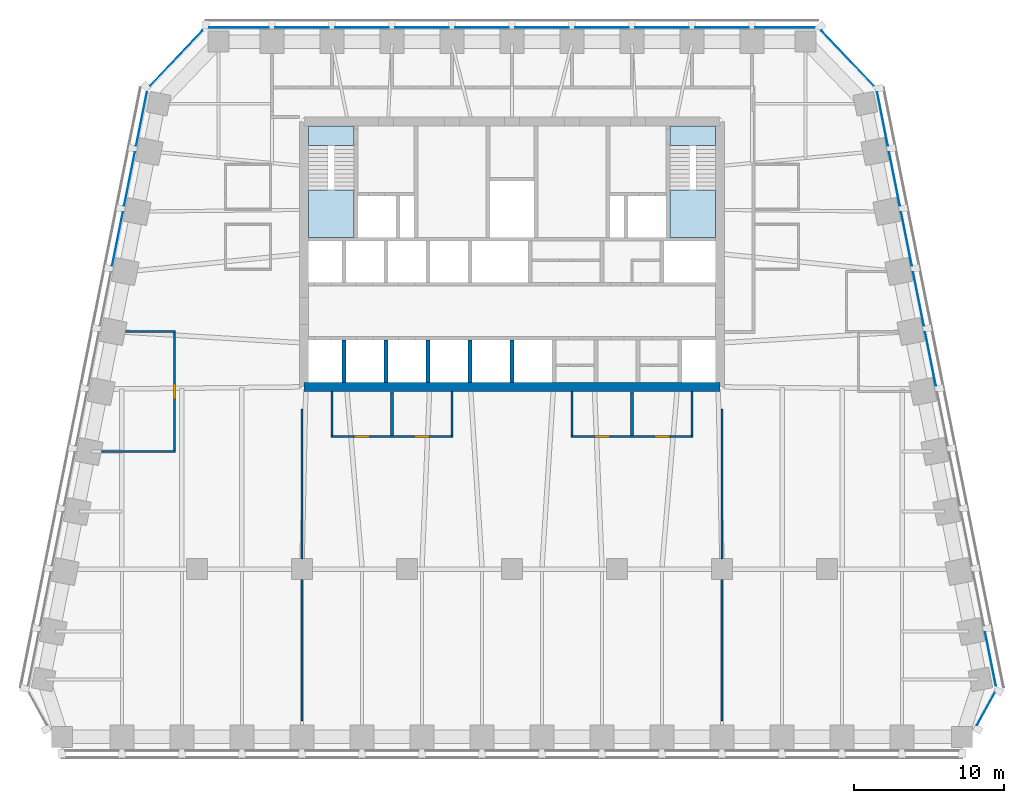
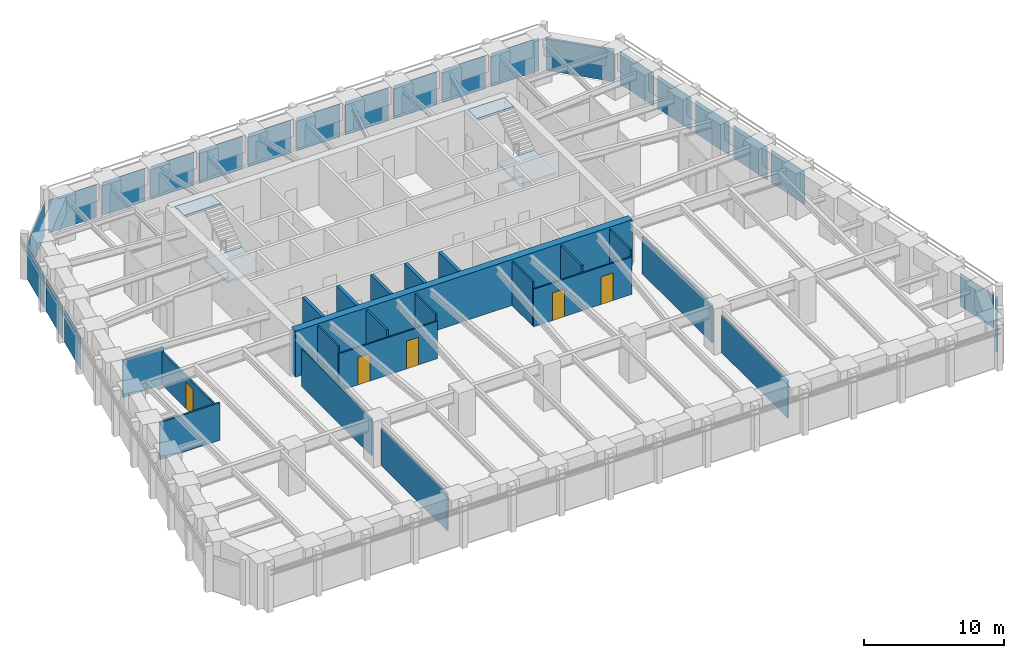
# One storey, part 5 of 10: 22 plates, 21 walls, 5 doors, 4 slabs, 5 openings, 8 elements without a shape of their own.
"""IFC4 building model written with IfcOpenShell, lengths in metres."""

from ifc_helpers import new_model, si_unit, direction, frame, frame_2d, origin, origin_2d, place, context, subcontext, project, spatial, polyline, rectangle, outline, extrude, material, layer, layer_set, type_object, element, fill, aggregate, save


model = new_model("IFC4")

# Units and contexts
model_context = context("Model", 3, precision=1e-05, world=origin(), true_north=direction((0.0, 1.0)))
body_context = subcontext(model_context, "Body", "Model", "MODEL_VIEW")
ifc_project = project(units=[si_unit("LENGTHUNIT", "METRE"), si_unit("AREAUNIT", "SQUARE_METRE"), si_unit("VOLUMEUNIT", "CUBIC_METRE"), si_unit("PLANEANGLEUNIT", "RADIAN"), si_unit("MASSUNIT", "GRAM", prefix="KILO")], contexts=[model_context])

# Site, building, storey
site_placement = place(None, origin())
site = spatial("IfcSite", under=ifc_project, at=site_placement, CompositionType="ELEMENT")
building_placement = place(site_placement, origin())
building = spatial("IfcBuilding", under=site, at=building_placement, Name="Isbrekke Arena Tower", CompositionType="ELEMENT")
storey_placement = place(building_placement, frame((0.0, 0.0, 218.0)))
storey = spatial("IfcBuildingStorey", under=building, at=storey_placement, Name="L50", CompositionType="ELEMENT", Elevation=218.0)

# Curtain wall, plate
ifc_material_1 = material(Name="Glazed aluminium curtain wall", Category="aluminium")
curtain_wall_type = type_object("IfcCurtainWallType", Name="CWH TOWER CURTAIN WALL HIGH ZONE", PredefinedType="USERDEFINED", material=ifc_material_1)
curtain_wall_1_placement = place(storey_placement, origin())
curtain_wall_1 = element("IfcCurtainWall", 1, at=curtain_wall_1_placement, inside=storey, type_object=curtain_wall_type, Name="CWH curtain wall L50-SE", ObjectType="TOWER CURTAIN WALL HIGH ZONE", PredefinedType="USERDEFINED")
ifc_material_2 = material(Name="Triple-glazed clear glass unit", Category="glass")
ifc_layer_1 = layer(ifc_material_2, 0.031982421875)
ifc_layer_set_1 = layer_set([ifc_layer_1], Name="CWH-P VISION PANEL")
plate_type = type_object("IfcPlateType", Name="CWH-P VISION PANEL", PredefinedType="CURTAIN_PANEL", material=ifc_layer_set_1)
plate_1_placement = place(storey_placement, frame((31.5908203125, -15.3154296875, 0.02001953125), z_axis=(0.0, 0.0, 1.0), x_axis=(0.481918749773, 0.876215908676, 0.0)))
plate_1 = element("IfcPlate", 2, at=plate_1_placement, type_object=plate_type, Name="CWH-P panel 1", PredefinedType="CURTAIN_PANEL", context=body_context, shape_type="SweptSolid", body=[
    extrude(rectangle(XDim=2.4423828125, YDim=0.031982421875, at=origin_2d()), origin(), (0.0, 0.0, 1.0), 2.8798828125),
])
aggregate(curtain_wall_1, [plate_1])

# Curtain wall, plates
curtain_wall_2_placement = place(storey_placement, origin())
curtain_wall_2 = element("IfcCurtainWall", 3, at=curtain_wall_2_placement, inside=storey, type_object=curtain_wall_type, Name="CWH curtain wall L50-E", ObjectType="TOWER CURTAIN WALL HIGH ZONE", PredefinedType="USERDEFINED")
plate_2_placement = place(storey_placement, frame((31.89794921875, -11.98046875, 0.02001953125), z_axis=(0.0, 0.0, 1.0), x_axis=(-0.196116135138, 0.980580675691, 0.0)))
plate_2 = element("IfcPlate", 4, at=plate_2_placement, type_object=plate_type, Name="CWH-P panel 1", PredefinedType="CURTAIN_PANEL", context=body_context, shape_type="SweptSolid", body=[
    extrude(rectangle(XDim=3.629150390625, YDim=0.031982421875, at=origin_2d()), origin(), (0.0, 0.0, 1.0), 2.8798828125),
])
plate_3_placement = place(storey_placement, frame((27.89794921875, 8.01953125, 0.02001953125), z_axis=(0.0, 0.0, 1.0), x_axis=(-0.196116135138, 0.980580675691, 0.0)))
plate_3 = element("IfcPlate", 5, at=plate_3_placement, type_object=plate_type, Name="CWH-P panel 6", PredefinedType="CURTAIN_PANEL", context=body_context, shape_type="SweptSolid", body=[
    extrude(rectangle(XDim=3.629150390625, YDim=0.031982421875, at=origin_2d()), origin(), (0.0, 0.0, 1.0), 2.8798828125),
])
plate_4_placement = place(storey_placement, frame((27.09814453125, 12.01953125, 0.02001953125), z_axis=(0.0, 0.0, 1.0), x_axis=(-0.196116135138, 0.980580675691, 0.0)))
plate_4 = element("IfcPlate", 6, at=plate_4_placement, type_object=plate_type, Name="CWH-P panel 7", PredefinedType="CURTAIN_PANEL", context=body_context, shape_type="SweptSolid", body=[
    extrude(rectangle(XDim=3.629150390625, YDim=0.031982421875, at=origin_2d()), origin(), (0.0, 0.0, 1.0), 2.8798828125),
])
plate_5_placement = place(storey_placement, frame((26.298095703125, 16.01953125, 0.02001953125), z_axis=(0.0, 0.0, 1.0), x_axis=(-0.196116135138, 0.980580675691, 0.0)))
plate_5 = element("IfcPlate", 7, at=plate_5_placement, type_object=plate_type, Name="CWH-P panel 8", PredefinedType="CURTAIN_PANEL", context=body_context, shape_type="SweptSolid", body=[
    extrude(rectangle(XDim=3.629150390625, YDim=0.031982421875, at=origin_2d()), origin(), (0.0, 0.0, 1.0), 2.8798828125),
])
plate_6_placement = place(storey_placement, frame((25.498046875, 20.01953125, 0.02001953125), z_axis=(0.0, 0.0, 1.0), x_axis=(-0.196116135138, 0.980580675691, 0.0)))
plate_6 = element("IfcPlate", 8, at=plate_6_placement, type_object=plate_type, Name="CWH-P panel 9", PredefinedType="CURTAIN_PANEL", context=body_context, shape_type="SweptSolid", body=[
    extrude(rectangle(XDim=3.629150390625, YDim=0.031982421875, at=origin_2d()), origin(), (0.0, 0.0, 1.0), 2.8798828125),
])
plate_7_placement = place(storey_placement, frame((24.697998046875, 24.01953125, 0.02001953125), z_axis=(0.0, 0.0, 1.0), x_axis=(-0.196116135138, 0.980580675691, 0.0)))
plate_7 = element("IfcPlate", 9, at=plate_7_placement, type_object=plate_type, Name="CWH-P panel 10", PredefinedType="CURTAIN_PANEL", context=body_context, shape_type="SweptSolid", body=[
    extrude(rectangle(XDim=3.629150390625, YDim=0.031982421875, at=origin_2d()), origin(), (0.0, 0.0, 1.0), 2.8798828125),
])
aggregate(curtain_wall_2, [plate_2, plate_3, plate_4, plate_5, plate_6, plate_7])

# Curtain wall, plate
curtain_wall_3_placement = place(storey_placement, origin())
curtain_wall_3 = element("IfcCurtainWall", 10, at=curtain_wall_3_placement, inside=storey, type_object=curtain_wall_type, Name="CWH curtain wall L50-EN", ObjectType="TOWER CURTAIN WALL HIGH ZONE", PredefinedType="USERDEFINED")
plate_8_placement = place(storey_placement, frame((22.37255859375, 28.06884765625, 0.02001953125), z_axis=(0.0, 0.0, 1.0), x_axis=(-0.68874946192, 0.72499943359, 0.0)))
plate_8 = element("IfcPlate", 11, at=plate_8_placement, type_object=plate_type, Name="CWH-P panel 1", PredefinedType="CURTAIN_PANEL", context=body_context, shape_type="SweptSolid", body=[
    extrude(rectangle(XDim=5.067138671875, YDim=0.031982421875, at=origin_2d()), origin(), (0.0, 0.0, 1.0), 2.8798828125),
])
aggregate(curtain_wall_3, [plate_8])

# Curtain wall, plates
curtain_wall_4_placement = place(storey_placement, origin())
curtain_wall_4 = element("IfcCurtainWall", 12, at=curtain_wall_4_placement, inside=storey, type_object=curtain_wall_type, Name="CWH curtain wall L50-N", ObjectType="TOWER CURTAIN WALL HIGH ZONE", PredefinedType="USERDEFINED")
plate_9_placement = place(storey_placement, frame((18.199951171875, 30.10009765625, 0.02001953125), z_axis=(0.0, 0.0, 1.0), x_axis=(-1.0, 0.0, 0.0)))
plate_9 = element("IfcPlate", 13, at=plate_9_placement, type_object=plate_type, Name="CWH-P panel 1", PredefinedType="CURTAIN_PANEL", context=body_context, shape_type="SweptSolid", body=[
    extrude(rectangle(XDim=3.949951171875, YDim=0.031982421875, at=origin_2d()), origin(), (0.0, 0.0, 1.0), 2.8798828125),
])
plate_10_placement = place(storey_placement, frame((14.0, 30.10009765625, 0.02001953125), z_axis=(0.0, 0.0, 1.0), x_axis=(-1.0, 0.0, 0.0)))
plate_10 = element("IfcPlate", 14, at=plate_10_placement, type_object=plate_type, Name="CWH-P panel 2", PredefinedType="CURTAIN_PANEL", context=body_context, shape_type="SweptSolid", body=[
    extrude(rectangle(XDim=3.550048828125, YDim=0.031982421875, at=origin_2d()), origin(), (0.0, 0.0, 1.0), 2.8798828125),
])
plate_11_placement = place(storey_placement, frame((10.0, 30.10009765625, 0.02001953125), z_axis=(0.0, 0.0, 1.0), x_axis=(-1.0, 0.0, 0.0)))
plate_11 = element("IfcPlate", 15, at=plate_11_placement, type_object=plate_type, Name="CWH-P panel 3", PredefinedType="CURTAIN_PANEL", context=body_context, shape_type="SweptSolid", body=[
    extrude(rectangle(XDim=3.550048828125, YDim=0.031982421875, at=origin_2d()), origin(), (0.0, 0.0, 1.0), 2.8798828125),
])
plate_12_placement = place(storey_placement, frame((6.0, 30.10009765625, 0.02001953125), z_axis=(0.0, 0.0, 1.0), x_axis=(-1.0, 0.0, 0.0)))
plate_12 = element("IfcPlate", 16, at=plate_12_placement, type_object=plate_type, Name="CWH-P panel 4", PredefinedType="CURTAIN_PANEL", context=body_context, shape_type="SweptSolid", body=[
    extrude(rectangle(XDim=3.550048828125, YDim=0.031982421875, at=origin_2d()), origin(), (0.0, 0.0, 1.0), 2.8798828125),
])
plate_13_placement = place(storey_placement, frame((2.0, 30.10009765625, 0.02001953125), z_axis=(0.0, 0.0, 1.0), x_axis=(-1.0, 0.0, 0.0)))
plate_13 = element("IfcPlate", 17, at=plate_13_placement, type_object=plate_type, Name="CWH-P panel 5", PredefinedType="CURTAIN_PANEL", context=body_context, shape_type="SweptSolid", body=[
    extrude(rectangle(XDim=3.550048828125, YDim=0.031982421875, at=origin_2d()), origin(), (0.0, 0.0, 1.0), 2.8798828125),
])
plate_14_placement = place(storey_placement, frame((-2.0, 30.10009765625, 0.02001953125), z_axis=(0.0, 0.0, 1.0), x_axis=(-1.0, 0.0, 0.0)))
plate_14 = element("IfcPlate", 18, at=plate_14_placement, type_object=plate_type, Name="CWH-P panel 6", PredefinedType="CURTAIN_PANEL", context=body_context, shape_type="SweptSolid", body=[
    extrude(rectangle(XDim=3.550048828125, YDim=0.031982421875, at=origin_2d()), origin(), (0.0, 0.0, 1.0), 2.8798828125),
])
plate_15_placement = place(storey_placement, frame((-6.0, 30.10009765625, 0.02001953125), z_axis=(0.0, 0.0, 1.0), x_axis=(-1.0, 0.0, 0.0)))
plate_15 = element("IfcPlate", 19, at=plate_15_placement, type_object=plate_type, Name="CWH-P panel 7", PredefinedType="CURTAIN_PANEL", context=body_context, shape_type="SweptSolid", body=[
    extrude(rectangle(XDim=3.550048828125, YDim=0.031982421875, at=origin_2d()), origin(), (0.0, 0.0, 1.0), 2.8798828125),
])
plate_16_placement = place(storey_placement, frame((-10.0, 30.10009765625, 0.02001953125), z_axis=(0.0, 0.0, 1.0), x_axis=(-1.0, 0.0, 0.0)))
plate_16 = element("IfcPlate", 20, at=plate_16_placement, type_object=plate_type, Name="CWH-P panel 8", PredefinedType="CURTAIN_PANEL", context=body_context, shape_type="SweptSolid", body=[
    extrude(rectangle(XDim=3.550048828125, YDim=0.031982421875, at=origin_2d()), origin(), (0.0, 0.0, 1.0), 2.8798828125),
])
plate_17_placement = place(storey_placement, frame((-14.0, 30.10009765625, 0.02001953125), z_axis=(0.0, 0.0, 1.0), x_axis=(-1.0, 0.0, 0.0)))
plate_17 = element("IfcPlate", 21, at=plate_17_placement, type_object=plate_type, Name="CWH-P panel 9", PredefinedType="CURTAIN_PANEL", context=body_context, shape_type="SweptSolid", body=[
    extrude(rectangle(XDim=3.550048828125, YDim=0.031982421875, at=origin_2d()), origin(), (0.0, 0.0, 1.0), 2.8798828125),
])
plate_18_placement = place(storey_placement, frame((-18.199951171875, 30.10009765625, 0.02001953125), z_axis=(0.0, 0.0, 1.0), x_axis=(-1.0, 0.0, 0.0)))
plate_18 = element("IfcPlate", 22, at=plate_18_placement, type_object=plate_type, Name="CWH-P panel 10", PredefinedType="CURTAIN_PANEL", context=body_context, shape_type="SweptSolid", body=[
    extrude(rectangle(XDim=3.949951171875, YDim=0.031982421875, at=origin_2d()), origin(), (0.0, 0.0, 1.0), 2.8798828125),
])
aggregate(curtain_wall_4, [plate_9, plate_10, plate_11, plate_12, plate_13, plate_14, plate_15, plate_16, plate_17, plate_18])

# Curtain wall, plate
curtain_wall_5_placement = place(storey_placement, origin())
curtain_wall_5 = element("IfcCurtainWall", 23, at=curtain_wall_5_placement, inside=storey, type_object=curtain_wall_type, Name="CWH curtain wall L50-NW", ObjectType="TOWER CURTAIN WALL HIGH ZONE", PredefinedType="USERDEFINED")
plate_19_placement = place(storey_placement, frame((-22.37255859375, 28.06884765625, 0.02001953125), z_axis=(0.0, 0.0, 1.0), x_axis=(-0.68874946192, -0.72499943359, 0.0)))
plate_19 = element("IfcPlate", 24, at=plate_19_placement, type_object=plate_type, Name="CWH-P panel 1", PredefinedType="CURTAIN_PANEL", context=body_context, shape_type="SweptSolid", body=[
    extrude(rectangle(XDim=5.067138671875, YDim=0.031982421875, at=origin_2d()), origin(), (0.0, 0.0, 1.0), 2.8798828125),
])
aggregate(curtain_wall_5, [plate_19])

# Curtain wall, plates
curtain_wall_6_placement = place(storey_placement, origin())
curtain_wall_6 = element("IfcCurtainWall", 25, at=curtain_wall_6_placement, inside=storey, type_object=curtain_wall_type, Name="CWH curtain wall L50-W", ObjectType="TOWER CURTAIN WALL HIGH ZONE", PredefinedType="USERDEFINED")
plate_20_placement = place(storey_placement, frame((-24.697998046875, 24.01953125, 0.02001953125), z_axis=(0.0, 0.0, 1.0), x_axis=(-0.196116135138, -0.980580675691, 0.0)))
plate_20 = element("IfcPlate", 26, at=plate_20_placement, type_object=plate_type, Name="CWH-P panel 1", PredefinedType="CURTAIN_PANEL", context=body_context, shape_type="SweptSolid", body=[
    extrude(rectangle(XDim=3.629150390625, YDim=0.031982421875, at=origin_2d()), origin(), (0.0, 0.0, 1.0), 2.8798828125),
])
plate_21_placement = place(storey_placement, frame((-25.498046875, 20.01953125, 0.02001953125), z_axis=(0.0, 0.0, 1.0), x_axis=(-0.196116135138, -0.980580675691, 0.0)))
plate_21 = element("IfcPlate", 27, at=plate_21_placement, type_object=plate_type, Name="CWH-P panel 2", PredefinedType="CURTAIN_PANEL", context=body_context, shape_type="SweptSolid", body=[
    extrude(rectangle(XDim=3.629150390625, YDim=0.031982421875, at=origin_2d()), origin(), (0.0, 0.0, 1.0), 2.8798828125),
])
plate_22_placement = place(storey_placement, frame((-26.298095703125, 16.01953125, 0.02001953125), z_axis=(0.0, 0.0, 1.0), x_axis=(-0.196116135138, -0.980580675691, 0.0)))
plate_22 = element("IfcPlate", 28, at=plate_22_placement, type_object=plate_type, Name="CWH-P panel 3", PredefinedType="CURTAIN_PANEL", context=body_context, shape_type="SweptSolid", body=[
    extrude(rectangle(XDim=3.629150390625, YDim=0.031982421875, at=origin_2d()), origin(), (0.0, 0.0, 1.0), 2.8798828125),
])
aggregate(curtain_wall_6, [plate_20, plate_21, plate_22])

# Stair, slabs
ifc_material_3 = material(Name="Concrete B45 (C45/55) precast", Category="concrete")
stair_type = type_object("IfcStairType", Name="ST40 STAIR 1300 WIDE, 24 RISERS 167", PredefinedType="HALF_TURN_STAIR", material=ifc_material_3)
stair_1_placement = place(storey_placement, origin())
stair_1 = element("IfcStair", 29, at=stair_1_placement, inside=storey, type_object=stair_type, Name="ST1 stair L50", PredefinedType="HALF_TURN_STAIR")
ifc_material_4 = material(Name="Concrete B35 (C35/45)", Category="concrete")
ifc_layer_2 = layer(ifc_material_4, 0.199951171875)
ifc_layer_set_2 = layer_set([ifc_layer_2], Name="SL1 STAIR LANDING 200")
slab_type = type_object("IfcSlabType", Name="SL1 STAIR LANDING 200", PredefinedType="LANDING", material=ifc_layer_set_2)
slab_1_placement = place(storey_placement, frame((0.0, 0.0, 1.800048828125)))
slab_1 = element("IfcSlab", 30, at=slab_1_placement, type_object=slab_type, Name="ST1 landing 1", PredefinedType="LANDING", context=body_context, shape_type="SweptSolid", body=[
    extrude(outline(polyline([(-13.550048828125, 16.125), (-10.52490234375, 16.125), (-10.52490234375, 19.280029296875), (-13.550048828125, 19.280029296875), (-13.550048828125, 16.125)])), origin(), (0.0, 0.0, 1.0), 0.199951171875),
])
slab_2_placement = place(storey_placement, frame((0.0, 0.0, 3.800048828125)))
slab_2 = element("IfcSlab", 31, at=slab_2_placement, type_object=slab_type, Name="ST1 landing 2", PredefinedType="LANDING", context=body_context, shape_type="SweptSolid", body=[
    extrude(outline(polyline([(-13.550048828125, 22.25), (-10.52490234375, 22.25), (-10.52490234375, 23.550048828125), (-13.550048828125, 23.550048828125), (-13.550048828125, 22.25)])), origin(), (0.0, 0.0, 1.0), 0.199951171875),
])
aggregate(stair_1, [slab_1, slab_2])

stair_2_placement = place(storey_placement, origin())
stair_2 = element("IfcStair", 32, at=stair_2_placement, inside=storey, type_object=stair_type, Name="ST2 stair L50", PredefinedType="HALF_TURN_STAIR")
slab_3_placement = place(storey_placement, frame((0.0, 0.0, 1.800048828125)))
slab_3 = element("IfcSlab", 33, at=slab_3_placement, type_object=slab_type, Name="ST2 landing 1", PredefinedType="LANDING", context=body_context, shape_type="SweptSolid", body=[
    extrude(outline(polyline([(10.52490234375, 16.125), (13.550048828125, 16.125), (13.550048828125, 19.280029296875), (10.52490234375, 19.280029296875), (10.52490234375, 16.125)])), origin(), (0.0, 0.0, 1.0), 0.199951171875),
])
slab_4_placement = place(storey_placement, frame((0.0, 0.0, 3.800048828125)))
slab_4 = element("IfcSlab", 34, at=slab_4_placement, type_object=slab_type, Name="ST2 landing 2", PredefinedType="LANDING", context=body_context, shape_type="SweptSolid", body=[
    extrude(outline(polyline([(10.52490234375, 22.25), (13.550048828125, 22.25), (13.550048828125, 23.550048828125), (10.52490234375, 23.550048828125), (10.52490234375, 22.25)])), origin(), (0.0, 0.0, 1.0), 0.199951171875),
])
aggregate(stair_2, [slab_3, slab_4])

# Walls
ifc_material_5 = material(Name="Concrete B55 (C55/67)", Category="concrete")
ifc_layer_3 = layer(ifc_material_5, 0.60009765625)
ifc_layer_set_3 = layer_set([ifc_layer_3], Name="CW4 CORE WALL 600")
wall_type_1 = type_object("IfcWallType", Name="CW4 CORE WALL 600", PredefinedType="SHEAR", material=ifc_layer_set_3)
wall_1_placement = place(storey_placement, frame((-13.85009765625, 6.14990234375, 0.0), z_axis=(0.0, 0.0, 1.0), x_axis=(1.0, 0.0, 0.0)))
element("IfcWall", 35, at=wall_1_placement, inside=storey, type_object=wall_type_1, Name="Core wall S L50", PredefinedType="SHEAR", context=body_context, shape_type="SweptSolid", body=[
    extrude(rectangle(XDim=27.7001953125, YDim=0.60009765625, at=frame_2d((13.85009765625, 0.0))), origin(), (0.0, 0.0, 1.0), 4.0),
])
ifc_material_6 = material(Name="Concrete B45 (C45/55)", Category="concrete")
ifc_layer_4 = layer(ifc_material_6, 0.25)
ifc_layer_set_4 = layer_set([ifc_layer_4], Name="CW6 SHAFT WALL 250")
wall_type_2 = type_object("IfcWallType", Name="CW6 SHAFT WALL 250", PredefinedType="SHEAR", material=ifc_layer_set_4)
for number, where, z_axis, x_axis, name in (
    (36, (-11.199951171875, 6.449951171875, 0.0), (0.0, 0.0, 1.0), (0.0, 1.0, 0.0), "Core wall SS01 L50"),
    (37, (-8.39990234375, 6.449951171875, 0.0), (0.0, 0.0, 1.0), (0.0, 1.0, 0.0), "Core wall SS02 L50"),
    (38, (-5.60009765625, 6.449951171875, 0.0), (0.0, 0.0, 1.0), (0.0, 1.0, 0.0), "Core wall SS03 L50"),
    (39, (-2.800048828125, 6.449951171875, 0.0), (0.0, 0.0, 1.0), (0.0, 1.0, 0.0), "Core wall SS04 L50"),
    (40, (0.0, 6.449951171875, 0.0), (0.0, 0.0, 1.0), (0.0, 1.0, 0.0), "Core wall SS05 L50"),
):
    element("IfcWall", number, at=place(storey_placement, frame(where, z_axis=z_axis, x_axis=x_axis)), inside=storey, type_object=wall_type_2, Name=name, PredefinedType="SHEAR", context=body_context, shape_type="SweptSolid", body=[
        extrude(rectangle(XDim=2.824951171875, YDim=0.25, at=frame_2d((1.41259765625, 0.0))), origin(), (0.0, 0.0, 1.0), 4.0),
    ])
ifc_material_7 = material(Name="Gypsum board partition on steel studs", Category="steel")
ifc_layer_5 = layer(ifc_material_7, 0.14990234375)
ifc_layer_set_5 = layer_set([ifc_layer_5], Name="IW1 PARTITION 150")
wall_type_3 = type_object("IfcWallType", Name="IW1 PARTITION 150", PredefinedType="PARTITIONING", material=ifc_layer_set_5)
wall_2_placement = place(storey_placement, frame((-27.374755859375, 1.840087890625, 0.0), z_axis=(0.0, 0.0, 1.0), x_axis=(1.0, 0.0, 0.0)))
element("IfcWall", 41, at=wall_2_placement, inside=storey, type_object=wall_type_3, Name="IW1 partition 150 L50", PredefinedType="PARTITIONING", context=body_context, shape_type="SweptSolid", body=[
    extrude(rectangle(XDim=4.94970703125, YDim=0.14990234375, at=frame_2d((2.474853515625, 0.0))), origin(), (0.0, 0.0, 1.0), 3.25),
])
wall_3_placement = place(storey_placement, frame((-25.77490234375, 9.840087890625, 0.0), z_axis=(0.0, 0.0, 1.0), x_axis=(1.0, 0.0, 0.0)))
element("IfcWall", 42, at=wall_3_placement, inside=storey, type_object=wall_type_3, Name="IW1 partition 150 L50", PredefinedType="PARTITIONING", context=body_context, shape_type="SweptSolid", body=[
    extrude(rectangle(XDim=3.349853515625, YDim=0.14990234375, at=frame_2d((1.6748046875, 0.0))), origin(), (0.0, 0.0, 1.0), 3.25),
])

# Wall, opening, door
wall_4_placement = place(storey_placement, frame((-22.5, 1.9150390625, 0.0), z_axis=(0.0, 0.0, 1.0), x_axis=(0.0, 1.0, 0.0)))
wall_4 = element("IfcWall", 43, at=wall_4_placement, inside=storey, type_object=wall_type_3, Name="IW1 partition 150 L50", PredefinedType="PARTITIONING", context=body_context, shape_type="SweptSolid", body=[
    extrude(rectangle(XDim=7.849853515625, YDim=0.14990234375, at=frame_2d((3.9248046875, 0.0))), origin(), (0.0, 0.0, 1.0), 2.842041015625),
])
opening_1_placement = place(wall_4_placement, frame((3.425048828125, 0.0, 0.0)))
opening_1 = element("IfcOpeningElement", 44, at=opening_1_placement, cuts=wall_4, Name="Opening D10", PredefinedType="OPENING", context=body_context, shape_type="SweptSolid", body=[
    extrude(rectangle(XDim=1.0, YDim=2.300048828125, at=frame_2d((0.5, 1.14990234375))), frame((0.0, 0.08984375, 0.0), z_axis=(0.0, -1.0, 0.0), x_axis=(1.0, 0.0, 0.0)), (0.0, 0.0, 1.0), 0.1796875),
])
ifc_material_8 = material(Name="Timber door", Category="wood")
door_type_1 = type_object("IfcDoorType", Name="D10 OFFICE DOOR 1000 x 2300", OperationType="SINGLE_SWING_LEFT", PredefinedType="DOOR", material=ifc_material_8)
door_1_placement = place(opening_1_placement, origin())
door_1 = element("IfcDoor", 45, at=door_1_placement, inside=storey, type_object=door_type_1, Name="D10 pantry door L50", OperationType="SINGLE_SWING_LEFT", OverallHeight=2.300048828125, OverallWidth=1.0, PredefinedType="DOOR", context=body_context, shape_type="SweptSolid", body=[
    extrude(rectangle(XDim=1.0, YDim=2.300048828125, at=frame_2d((0.5, 1.14990234375))), frame((0.0, 0.07470703125, 0.0), z_axis=(0.0, -1.0, 0.0), x_axis=(1.0, 0.0, 0.0)), (0.0, 0.0, 1.0), 0.1494140625),
])
fill(opening_1, door_1)

# Wall, openings, doors
ifc_material_9 = material(Name="Frameless glazed partition, laminated acoustic glass", Category="glass")
ifc_layer_6 = layer(ifc_material_9, 0.1201171875)
ifc_layer_set_6 = layer_set([ifc_layer_6], Name="IW2 GLAZED PARTITION 120")
wall_type_4 = type_object("IfcWallType", Name="IW2 GLAZED PARTITION 120", PredefinedType="PARTITIONING", material=ifc_layer_set_6)
wall_5_placement = place(storey_placement, frame((-12.06005859375, 2.85009765625, 0.0), z_axis=(0.0, 0.0, 1.0), x_axis=(1.0, 0.0, 0.0)))
wall_5 = element("IfcWall", 46, at=wall_5_placement, inside=storey, type_object=wall_type_4, Name="IW2 glazed partition 120 L50", PredefinedType="PARTITIONING", context=body_context, shape_type="SweptSolid", body=[
    extrude(rectangle(XDim=8.1201171875, YDim=0.1201171875, at=frame_2d((4.06005859375, 0.0))), origin(), (0.0, 0.0, 1.0), 3.25),
])
opening_2_placement = place(wall_5_placement, frame((1.56005859375, 0.0, 0.0)))
opening_2 = element("IfcOpeningElement", 47, at=opening_2_placement, cuts=wall_5, Name="Opening D11", PredefinedType="OPENING", context=body_context, shape_type="SweptSolid", body=[
    extrude(rectangle(XDim=1.0, YDim=2.39990234375, at=frame_2d((0.5, 1.199951171875))), frame((0.0, 0.074951171875, 0.0), z_axis=(0.0, -1.0, 0.0), x_axis=(1.0, 0.0, 0.0)), (0.0, 0.0, 1.0), 0.14990234375),
])
opening_3_placement = place(wall_5_placement, frame((5.56005859375, 0.0, 0.0)))
opening_3 = element("IfcOpeningElement", 48, at=opening_3_placement, cuts=wall_5, Name="Opening D11", PredefinedType="OPENING", context=body_context, shape_type="SweptSolid", body=[
    extrude(rectangle(XDim=1.0, YDim=2.39990234375, at=frame_2d((0.5, 1.199951171875))), frame((0.0, 0.074951171875, 0.0), z_axis=(0.0, -1.0, 0.0), x_axis=(1.0, 0.0, 0.0)), (0.0, 0.0, 1.0), 0.14990234375),
])
ifc_material_10 = material(Name="Frameless glazed door", Category="glass")
door_type_2 = type_object("IfcDoorType", Name="D11 GLAZED MEETING ROOM DOOR 1000 x 2400", OperationType="SINGLE_SWING_RIGHT", PredefinedType="DOOR", material=ifc_material_10)
door_2_placement = place(opening_2_placement, origin())
door_2 = element("IfcDoor", 49, at=door_2_placement, inside=storey, type_object=door_type_2, Name="D11 quiet room door L50", OperationType="SINGLE_SWING_RIGHT", OverallHeight=2.39990234375, OverallWidth=1.0, PredefinedType="DOOR", context=body_context, shape_type="SweptSolid", body=[
    extrude(rectangle(XDim=1.0, YDim=2.39990234375, at=frame_2d((0.5, 1.199951171875))), frame((0.0, 0.059814453125, 0.0), z_axis=(0.0, -1.0, 0.0), x_axis=(1.0, 0.0, 0.0)), (0.0, 0.0, 1.0), 0.11962890625),
])
fill(opening_2, door_2)
door_3_placement = place(opening_3_placement, origin())
door_3 = element("IfcDoor", 50, at=door_3_placement, inside=storey, type_object=door_type_2, Name="D11 quiet room door L50", OperationType="SINGLE_SWING_RIGHT", OverallHeight=2.39990234375, OverallWidth=1.0, PredefinedType="DOOR", context=body_context, shape_type="SweptSolid", body=[
    extrude(rectangle(XDim=1.0, YDim=2.39990234375, at=frame_2d((0.5, 1.199951171875))), frame((0.0, 0.059814453125, 0.0), z_axis=(0.0, -1.0, 0.0), x_axis=(1.0, 0.0, 0.0)), (0.0, 0.0, 1.0), 0.11962890625),
])
fill(opening_3, door_3)

wall_6_placement = place(storey_placement, frame((3.93994140625, 2.85009765625, 0.0), z_axis=(0.0, 0.0, 1.0), x_axis=(1.0, 0.0, 0.0)))
wall_6 = element("IfcWall", 51, at=wall_6_placement, inside=storey, type_object=wall_type_4, Name="IW2 glazed partition 120 L50", PredefinedType="PARTITIONING", context=body_context, shape_type="SweptSolid", body=[
    extrude(rectangle(XDim=8.1201171875, YDim=0.1201171875, at=frame_2d((4.06005859375, 0.0))), origin(), (0.0, 0.0, 1.0), 3.25),
])
opening_4_placement = place(wall_6_placement, frame((1.56005859375, 0.0, 0.0)))
opening_4 = element("IfcOpeningElement", 52, at=opening_4_placement, cuts=wall_6, Name="Opening D11", PredefinedType="OPENING", context=body_context, shape_type="SweptSolid", body=[
    extrude(rectangle(XDim=1.0, YDim=2.39990234375, at=frame_2d((0.5, 1.199951171875))), frame((0.0, 0.074951171875, 0.0), z_axis=(0.0, -1.0, 0.0), x_axis=(1.0, 0.0, 0.0)), (0.0, 0.0, 1.0), 0.14990234375),
])
opening_5_placement = place(wall_6_placement, frame((5.56005859375, 0.0, 0.0)))
opening_5 = element("IfcOpeningElement", 53, at=opening_5_placement, cuts=wall_6, Name="Opening D11", PredefinedType="OPENING", context=body_context, shape_type="SweptSolid", body=[
    extrude(rectangle(XDim=1.0, YDim=2.39990234375, at=frame_2d((0.5, 1.199951171875))), frame((0.0, 0.074951171875, 0.0), z_axis=(0.0, -1.0, 0.0), x_axis=(1.0, 0.0, 0.0)), (0.0, 0.0, 1.0), 0.14990234375),
])
door_4_placement = place(opening_4_placement, origin())
door_4 = element("IfcDoor", 54, at=door_4_placement, inside=storey, type_object=door_type_2, Name="D11 quiet room door L50", OperationType="SINGLE_SWING_RIGHT", OverallHeight=2.39990234375, OverallWidth=1.0, PredefinedType="DOOR", context=body_context, shape_type="SweptSolid", body=[
    extrude(rectangle(XDim=1.0, YDim=2.39990234375, at=frame_2d((0.5, 1.199951171875))), frame((0.0, 0.059814453125, 0.0), z_axis=(0.0, -1.0, 0.0), x_axis=(1.0, 0.0, 0.0)), (0.0, 0.0, 1.0), 0.11962890625),
])
fill(opening_4, door_4)
door_5_placement = place(opening_5_placement, origin())
door_5 = element("IfcDoor", 55, at=door_5_placement, inside=storey, type_object=door_type_2, Name="D11 quiet room door L50", OperationType="SINGLE_SWING_RIGHT", OverallHeight=2.39990234375, OverallWidth=1.0, PredefinedType="DOOR", context=body_context, shape_type="SweptSolid", body=[
    extrude(rectangle(XDim=1.0, YDim=2.39990234375, at=frame_2d((0.5, 1.199951171875))), frame((0.0, 0.059814453125, 0.0), z_axis=(0.0, -1.0, 0.0), x_axis=(1.0, 0.0, 0.0)), (0.0, 0.0, 1.0), 0.11962890625),
])
fill(opening_5, door_5)

# Walls
for number, where, z_axis, x_axis, name in (
    (56, (-12.0, 2.909912109375, 0.0), (0.0, 0.0, 1.0), (0.0, 1.0, 0.0), "IW2 glazed partition 120 L50"),
    (57, (-4.0, 2.909912109375, 0.0), (0.0, 0.0, 1.0), (0.0, 1.0, 0.0), "IW2 glazed partition 120 L50"),
    (58, (4.0, 2.909912109375, 0.0), (0.0, 0.0, 1.0), (0.0, 1.0, 0.0), "IW2 glazed partition 120 L50"),
    (59, (12.0, 2.909912109375, 0.0), (0.0, 0.0, 1.0), (0.0, 1.0, 0.0), "IW2 glazed partition 120 L50"),
):
    element("IfcWall", number, at=place(storey_placement, frame(where, z_axis=z_axis, x_axis=x_axis)), inside=storey, type_object=wall_type_4, Name=name, PredefinedType="PARTITIONING", context=body_context, shape_type="SweptSolid", body=[
        extrude(rectangle(XDim=2.91015625, YDim=0.1201171875, at=frame_2d((1.455078125, 0.0))), origin(), (0.0, 0.0, 1.0), 3.85009765625),
    ])
wall_7_placement = place(storey_placement, frame((-13.9990234375, -16.10009765625, 0.0), z_axis=(0.0, 0.0, 1.0), x_axis=(0.0, 1.0, 0.0)))
element("IfcWall", 60, at=wall_7_placement, inside=storey, type_object=wall_type_4, Name="IW2 glazed partition 120 L50", PredefinedType="PARTITIONING", context=body_context, shape_type="SweptSolid", body=[
    extrude(rectangle(XDim=9.400146484375, YDim=0.1201171875, at=frame_2d((4.7001953125, 0.0))), origin(), (0.0, 0.0, 1.0), 3.25),
])
wall_8_placement = place(storey_placement, frame((-13.9990234375, -5.300048828125, 0.0), z_axis=(0.0, 0.0, 1.0), x_axis=(0.0, 1.0, 0.0)))
element("IfcWall", 61, at=wall_8_placement, inside=storey, type_object=wall_type_4, Name="IW2 glazed partition 120 L50", PredefinedType="PARTITIONING", context=body_context, shape_type="SweptSolid", body=[
    extrude(rectangle(XDim=9.949951171875, YDim=0.1201171875, at=frame_2d((4.97509765625, 0.0))), origin(), (0.0, 0.0, 1.0), 3.25),
])
wall_9_placement = place(storey_placement, frame((14.0009765625, -16.10009765625, 0.0), z_axis=(0.0, 0.0, 1.0), x_axis=(0.0, 1.0, 0.0)))
element("IfcWall", 62, at=wall_9_placement, inside=storey, type_object=wall_type_4, Name="IW2 glazed partition 120 L50", PredefinedType="PARTITIONING", context=body_context, shape_type="SweptSolid", body=[
    extrude(rectangle(XDim=9.400146484375, YDim=0.1201171875, at=frame_2d((4.7001953125, 0.0))), origin(), (0.0, 0.0, 1.0), 3.25),
])
wall_10_placement = place(storey_placement, frame((14.0009765625, -5.300048828125, 0.0), z_axis=(0.0, 0.0, 1.0), x_axis=(0.0, 1.0, 0.0)))
element("IfcWall", 63, at=wall_10_placement, inside=storey, type_object=wall_type_4, Name="IW2 glazed partition 120 L50", PredefinedType="PARTITIONING", context=body_context, shape_type="SweptSolid", body=[
    extrude(rectangle(XDim=9.949951171875, YDim=0.1201171875, at=frame_2d((4.97509765625, 0.0))), origin(), (0.0, 0.0, 1.0), 3.25),
])
ifc_material_11 = material(Name="Gypsum board acoustic partition on twin steel studs", Category="steel")
ifc_layer_7 = layer(ifc_material_11, 0.175048828125)
ifc_layer_set_7 = layer_set([ifc_layer_7], Name="IW4 ACOUSTIC PARTITION 175")
wall_type_5 = type_object("IfcWallType", Name="IW4 ACOUSTIC PARTITION 175", PredefinedType="PARTITIONING", material=ifc_layer_set_7)
for number, where, z_axis, x_axis, name in (
    (64, (-8.0, 2.909912109375, 0.0), (0.0, 0.0, 1.0), (0.0, 1.0, 0.0), "IW4 acoustic partition 175 L50"),
    (65, (8.0, 2.909912109375, 0.0), (0.0, 0.0, 1.0), (0.0, 1.0, 0.0), "IW4 acoustic partition 175 L50"),
):
    element("IfcWall", number, at=place(storey_placement, frame(where, z_axis=z_axis, x_axis=x_axis)), inside=storey, type_object=wall_type_5, Name=name, PredefinedType="PARTITIONING", context=body_context, shape_type="SweptSolid", body=[
        extrude(rectangle(XDim=2.91015625, YDim=0.175048828125, at=frame_2d((1.455078125, 0.0))), origin(), (0.0, 0.0, 1.0), 3.85009765625),
    ])

save(model, "model.ifc")
